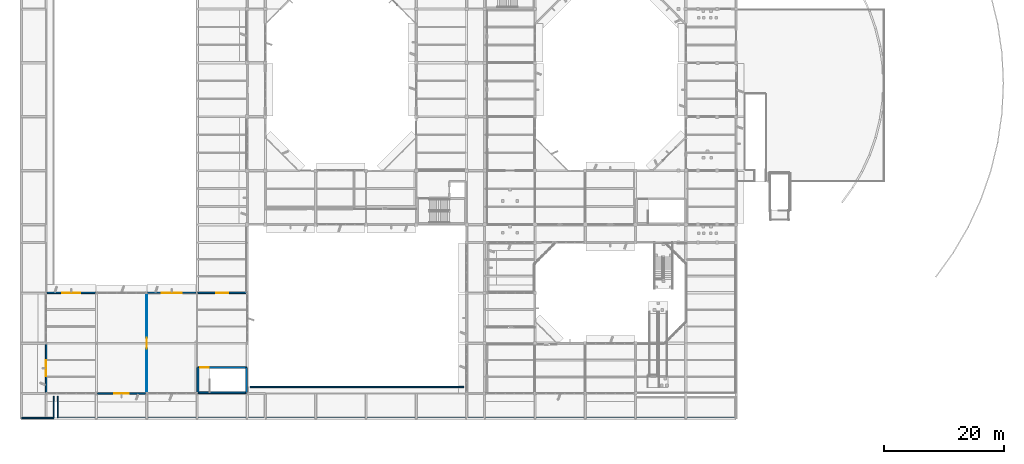
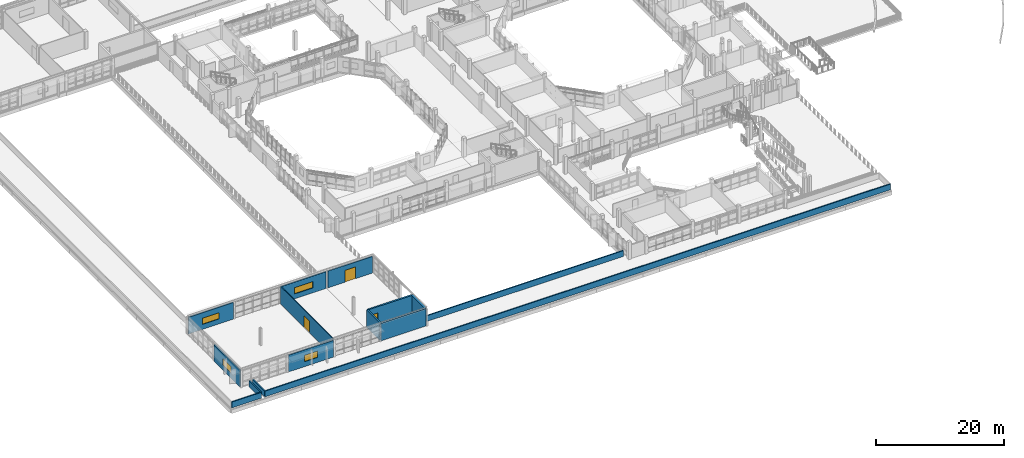
# One storey, part 57 of 92: 15 walls, 4 windows, 3 doors, 7 openings.
"""IFC4 building model written with IfcOpenShell, lengths in metres."""

from ifc_helpers import new_model, si_unit, direction, frame, frame_2d, origin, place, context, subcontext, project, spatial, rectangle, extrude, material, layer, layer_set, type_object, element, fill, save


model = new_model("IFC4")

# Units and contexts
model_context = context("Model", 3, precision=1e-05, world=origin(), true_north=direction((0.0, 1.0)))
body_context = subcontext(model_context, "Body", "Model", "MODEL_VIEW")
ifc_project = project(units=[si_unit("LENGTHUNIT", "METRE"), si_unit("AREAUNIT", "SQUARE_METRE"), si_unit("VOLUMEUNIT", "CUBIC_METRE"), si_unit("PLANEANGLEUNIT", "RADIAN"), si_unit("MASSUNIT", "GRAM", prefix="KILO")], contexts=[model_context])

# Site, building, storey
site_placement = place(None, origin())
site = spatial("IfcSite", under=ifc_project, at=site_placement, CompositionType="ELEMENT")
building_placement = place(site_placement, origin())
building = spatial("IfcBuilding", under=site, at=building_placement, Name="Vanh Quang Courtyard School", CompositionType="ELEMENT")
storey_placement = place(building_placement, frame((0.0, 0.0, 7.800048828125)))
storey = spatial("IfcBuildingStorey", under=building, at=storey_placement, Name="L02", CompositionType="ELEMENT", Elevation=7.800048828125)

# Walls
ifc_material_1 = material(Name="Concrete C35/45", Category="concrete")
ifc_layer_1 = layer(ifc_material_1, 0.300048828125)
ifc_layer_set_1 = layer_set([ifc_layer_1], Name="Concrete C35/45")
wall_type_1 = type_object("IfcWallType", Name="W-CORE-300", PredefinedType="SHEAR", material=ifc_layer_set_1)
wall_1_placement = place(storey_placement, frame((29.5400390625, 4.340087890625, 0.0), z_axis=(0.0, 0.0, 1.0), x_axis=(1.0, 0.0, 0.0)))
element("IfcWall", 1, at=wall_1_placement, inside=storey, type_object=wall_type_1, Name="Wall W-CORE1 (L02)", PredefinedType="SHEAR", context=body_context, shape_type="SweptSolid", body=[
    extrude(rectangle(XDim=8.119873046875, YDim=0.300048828125, at=frame_2d((4.06005859375, 0.0))), origin(), (0.0, 0.0, 1.0), 3.33984375),
])
wall_2_placement = place(storey_placement, frame((37.659912109375, 4.340087890625, 0.0), z_axis=(0.0, 0.0, 1.0), x_axis=(0.0, 1.0, 0.0)))
element("IfcWall", 2, at=wall_2_placement, inside=storey, type_object=wall_type_1, Name="Wall W-CORE1 (L02)", PredefinedType="SHEAR", context=body_context, shape_type="SweptSolid", body=[
    extrude(rectangle(XDim=4.199951171875, YDim=0.300048828125, at=frame_2d((2.10009765625, 0.0))), origin(), (0.0, 0.0, 1.0), 3.33984375),
])

# Wall, opening, door
wall_3_placement = place(storey_placement, frame((37.659912109375, 8.5400390625, 0.0), z_axis=(0.0, 0.0, 1.0), x_axis=(-1.0, 0.0, 0.0)))
wall_3 = element("IfcWall", 3, at=wall_3_placement, inside=storey, type_object=wall_type_1, Name="Wall W-CORE1 (L02)", PredefinedType="SHEAR", context=body_context, shape_type="SweptSolid", body=[
    extrude(rectangle(XDim=8.119873046875, YDim=0.300048828125, at=frame_2d((4.06005859375, 0.0))), origin(), (0.0, 0.0, 1.0), 3.33984375),
])
opening_1_placement = place(wall_3_placement, frame((6.27001953125, 0.0, 0.0)))
opening_1 = element("IfcOpeningElement", 4, at=opening_1_placement, cuts=wall_3, Name="Opening L02-DS6", PredefinedType="OPENING", context=body_context, shape_type="SweptSolid", body=[
    extrude(rectangle(XDim=1.419921875, YDim=2.14990234375, at=frame_2d((0.7099609375, 1.074951171875))), frame((0.0, 0.16015625, 0.0), z_axis=(0.0, -1.0, 0.0), x_axis=(1.0, 0.0, 0.0)), (0.0, 0.0, 1.0), 0.320068359375),
])
ifc_material_2 = material(Name="Painted galvanised steel fire door", Category="steel")
door_type_1 = type_object("IfcDoorType", Name="IDR-ST-1420x2150", OperationType="NOTDEFINED", PredefinedType="DOOR", material=ifc_material_2)
door_1_placement = place(opening_1_placement, frame((1.419921875, 0.0, 0.0), z_axis=(0.0, 0.0, 1.0), x_axis=(-1.0, 0.0, 0.0)))
door_1 = element("IfcDoor", 5, at=door_1_placement, inside=storey, type_object=door_type_1, Name="Door L02-DS6 (L02)", OperationType="SINGLE_SWING_LEFT", OverallHeight=2.14990234375, OverallWidth=1.419921875, PredefinedType="DOOR", context=body_context, shape_type="SweptSolid", body=[
    extrude(rectangle(XDim=1.419921875, YDim=2.14990234375, at=frame_2d((0.7099609375, 1.074951171875))), frame((0.0, 0.02490234375, 0.0), z_axis=(0.0, -1.0, 0.0), x_axis=(1.0, 0.0, 0.0)), (0.0, 0.0, 1.0), 0.050048828125),
])
fill(opening_1, door_1)

# Wall
wall_4_placement = place(storey_placement, frame((29.5400390625, 8.5400390625, 0.0), z_axis=(0.0, 0.0, 1.0), x_axis=(0.0, -1.0, 0.0)))
element("IfcWall", 6, at=wall_4_placement, inside=storey, type_object=wall_type_1, Name="Wall W-CORE1 (L02)", PredefinedType="SHEAR", context=body_context, shape_type="SweptSolid", body=[
    extrude(rectangle(XDim=4.199951171875, YDim=0.300048828125, at=frame_2d((2.10009765625, 0.0))), origin(), (0.0, 0.0, 1.0), 3.33984375),
])

# Wall, opening, window
ifc_material_3 = material(Name="Precast concrete C40/50", Category="concrete")
ifc_layer_2 = layer(ifc_material_3, 0.239990234375)
ifc_layer_set_2 = layer_set([ifc_layer_2], Name="Precast concrete C40/50")
wall_type_2 = type_object("IfcWallType", Name="W-EXT-240", PredefinedType="SOLIDWALL", material=ifc_layer_set_2)
wall_5_placement = place(storey_placement, frame((20.85205078125, 4.199951171875, 0.0), z_axis=(0.0, 0.0, 1.0), x_axis=(-1.0, 0.0, 0.0)))
wall_5 = element("IfcWall", 7, at=wall_5_placement, inside=storey, type_object=wall_type_2, Name="Wall WE-03 (L02)", PredefinedType="SOLIDWALL", context=body_context, shape_type="SweptSolid", body=[
    extrude(rectangle(XDim=8.10400390625, YDim=0.239990234375, at=frame_2d((4.052001953125, 0.0))), origin(), (0.0, 0.0, 1.0), 3.199951171875),
])
opening_2_placement = place(wall_5_placement, frame((2.85205078125, 0.0, 0.949951171875)))
opening_2 = element("IfcOpeningElement", 8, at=opening_2_placement, cuts=wall_5, Name="Opening WN-05", PredefinedType="OPENING", context=body_context, shape_type="SweptSolid", body=[
    extrude(rectangle(XDim=2.39990234375, YDim=1.199951171875, at=frame_2d((1.199951171875, 0.60009765625))), frame((0.0, 0.1298828125, 0.0), z_axis=(0.0, -1.0, 0.0), x_axis=(1.0, 0.0, 0.0)), (0.0, 0.0, 1.0), 0.260009765625),
])
ifc_material_4 = material(Name="Anodised aluminium and low-E double glazing", Category="aluminium")
window_type_1 = type_object("IfcWindowType", Name="WIN-TYP-05", PartitioningType="SINGLE_PANEL", PredefinedType="WINDOW", material=ifc_material_4)
window_1_placement = place(opening_2_placement, origin())
window_1 = element("IfcWindow", 9, at=window_1_placement, inside=storey, type_object=window_type_1, Name="Window WN-05 (L02)", OverallHeight=1.199951171875, OverallWidth=2.39990234375, PartitioningType="SINGLE_PANEL", PredefinedType="WINDOW", context=body_context, shape_type="SweptSolid", body=[
    extrude(rectangle(XDim=2.39990234375, YDim=1.199951171875, at=frame_2d((1.199951171875, 0.60009765625))), frame((0.0, 0.030029296875, 0.0), z_axis=(0.0, -1.0, 0.0), x_axis=(1.0, 0.0, 0.0)), (0.0, 0.0, 1.0), 0.06005859375),
])
fill(opening_2, window_1)

wall_6_placement = place(storey_placement, frame((4.199951171875, 4.363037109375, 0.0), z_axis=(0.0, 0.0, 1.0), x_axis=(0.0, 1.0, 0.0)))
wall_6 = element("IfcWall", 10, at=wall_6_placement, inside=storey, type_object=wall_type_2, Name="Wall WE-03 (L02)", PredefinedType="SOLIDWALL", context=body_context, shape_type="SweptSolid", body=[
    extrude(rectangle(XDim=8.073974609375, YDim=0.239990234375, at=frame_2d((4.037109375, 0.0))), origin(), (0.0, 0.0, 1.0), 3.199951171875),
])
opening_3_placement = place(wall_6_placement, frame((2.68701171875, 0.0, 0.949951171875)))
opening_3 = element("IfcOpeningElement", 11, at=opening_3_placement, cuts=wall_6, Name="Opening WN-06", PredefinedType="OPENING", context=body_context, shape_type="SweptSolid", body=[
    extrude(rectangle(XDim=2.699951171875, YDim=1.199951171875, at=frame_2d((1.35009765625, 0.60009765625))), frame((0.0, 0.1298828125, 0.0), z_axis=(0.0, -1.0, 0.0), x_axis=(1.0, 0.0, 0.0)), (0.0, 0.0, 1.0), 0.260009765625),
])
window_type_2 = type_object("IfcWindowType", Name="WIN-TYP-06", PartitioningType="SINGLE_PANEL", PredefinedType="WINDOW", material=ifc_material_4)
window_2_placement = place(opening_3_placement, origin())
window_2 = element("IfcWindow", 12, at=window_2_placement, inside=storey, type_object=window_type_2, Name="Window WN-06 (L02)", OverallHeight=1.199951171875, OverallWidth=2.699951171875, PartitioningType="SINGLE_PANEL", PredefinedType="WINDOW", context=body_context, shape_type="SweptSolid", body=[
    extrude(rectangle(XDim=2.699951171875, YDim=1.199951171875, at=frame_2d((1.35009765625, 0.60009765625))), frame((0.0, 0.030029296875, 0.0), z_axis=(0.0, -1.0, 0.0), x_axis=(1.0, 0.0, 0.0)), (0.0, 0.0, 1.0), 0.06005859375),
])
fill(opening_3, window_2)

wall_7_placement = place(storey_placement, frame((4.347900390625, 21.0, 0.0), z_axis=(0.0, 0.0, 1.0), x_axis=(1.0, 0.0, 0.0)))
wall_7 = element("IfcWall", 13, at=wall_7_placement, inside=storey, type_object=wall_type_2, Name="Wall WE-03 (L02)", PredefinedType="SOLIDWALL", context=body_context, shape_type="SweptSolid", body=[
    extrude(rectangle(XDim=8.10400390625, YDim=0.239990234375, at=frame_2d((4.052001953125, 0.0))), origin(), (0.0, 0.0, 1.0), 3.199951171875),
])
opening_4_placement = place(wall_7_placement, frame((2.552001953125, 0.0, 0.949951171875)))
opening_4 = element("IfcOpeningElement", 14, at=opening_4_placement, cuts=wall_7, Name="Opening WN-07", PredefinedType="OPENING", context=body_context, shape_type="SweptSolid", body=[
    extrude(rectangle(XDim=3.0, YDim=1.199951171875, at=frame_2d((1.5, 0.60009765625))), frame((0.0, 0.1298828125, 0.0), z_axis=(0.0, -1.0, 0.0), x_axis=(1.0, 0.0, 0.0)), (0.0, 0.0, 1.0), 0.260009765625),
])
window_type_3 = type_object("IfcWindowType", Name="WIN-TYP-07", PartitioningType="SINGLE_PANEL", PredefinedType="WINDOW", material=ifc_material_4)
window_3_placement = place(opening_4_placement, origin())
window_3 = element("IfcWindow", 15, at=window_3_placement, inside=storey, type_object=window_type_3, Name="Window WN-07 (L02)", OverallHeight=1.199951171875, OverallWidth=3.0, PartitioningType="SINGLE_PANEL", PredefinedType="WINDOW", context=body_context, shape_type="SweptSolid", body=[
    extrude(rectangle(XDim=3.0, YDim=1.199951171875, at=frame_2d((1.5, 0.60009765625))), frame((0.0, 0.030029296875, 0.0), z_axis=(0.0, -1.0, 0.0), x_axis=(1.0, 0.0, 0.0)), (0.0, 0.0, 1.0), 0.06005859375),
])
fill(opening_4, window_3)

wall_8_placement = place(storey_placement, frame((21.14794921875, 21.0, 0.0), z_axis=(0.0, 0.0, 1.0), x_axis=(1.0, 0.0, 0.0)))
wall_8 = element("IfcWall", 16, at=wall_8_placement, inside=storey, type_object=wall_type_2, Name="Wall WE-03 (L02)", PredefinedType="SOLIDWALL", context=body_context, shape_type="SweptSolid", body=[
    extrude(rectangle(XDim=8.10400390625, YDim=0.239990234375, at=frame_2d((4.052001953125, 0.0))), origin(), (0.0, 0.0, 1.0), 3.199951171875),
])
opening_5_placement = place(wall_8_placement, frame((2.402099609375, 0.0, 0.949951171875)))
opening_5 = element("IfcOpeningElement", 17, at=opening_5_placement, cuts=wall_8, Name="Opening WN-08", PredefinedType="OPENING", context=body_context, shape_type="SweptSolid", body=[
    extrude(rectangle(XDim=3.300048828125, YDim=1.199951171875, at=frame_2d((1.64990234375, 0.60009765625))), frame((0.0, 0.1298828125, 0.0), z_axis=(0.0, -1.0, 0.0), x_axis=(1.0, 0.0, 0.0)), (0.0, 0.0, 1.0), 0.260009765625),
])
window_type_4 = type_object("IfcWindowType", Name="WIN-TYP-08", PartitioningType="SINGLE_PANEL", PredefinedType="WINDOW", material=ifc_material_4)
window_4_placement = place(opening_5_placement, origin())
window_4 = element("IfcWindow", 18, at=window_4_placement, inside=storey, type_object=window_type_4, Name="Window WN-08 (L02)", OverallHeight=1.199951171875, OverallWidth=3.300048828125, PartitioningType="SINGLE_PANEL", PredefinedType="WINDOW", context=body_context, shape_type="SweptSolid", body=[
    extrude(rectangle(XDim=3.300048828125, YDim=1.199951171875, at=frame_2d((1.64990234375, 0.60009765625))), frame((0.0, 0.030029296875, 0.0), z_axis=(0.0, -1.0, 0.0), x_axis=(1.0, 0.0, 0.0)), (0.0, 0.0, 1.0), 0.06005859375),
])
fill(opening_5, window_4)

# Wall, opening, door
wall_9_placement = place(storey_placement, frame((29.548095703125, 21.0, 0.0), z_axis=(0.0, 0.0, 1.0), x_axis=(1.0, 0.0, 0.0)))
wall_9 = element("IfcWall", 19, at=wall_9_placement, inside=storey, type_object=wall_type_2, Name="Wall WE-03 (L02)", PredefinedType="SOLIDWALL", context=body_context, shape_type="SweptSolid", body=[
    extrude(rectangle(XDim=8.10400390625, YDim=0.239990234375, at=frame_2d((4.052001953125, 0.0))), origin(), (0.0, 0.0, 1.0), 3.199951171875),
])
opening_6_placement = place(wall_9_placement, frame((3.076904296875, 0.0, 0.0)))
opening_6 = element("IfcOpeningElement", 20, at=opening_6_placement, cuts=wall_9, Name="Opening L02-PD048", PredefinedType="OPENING", context=body_context, shape_type="SweptSolid", body=[
    extrude(rectangle(XDim=1.949951171875, YDim=2.25, at=frame_2d((0.97509765625, 1.125))), frame((0.0, 0.1298828125, 0.0), z_axis=(0.0, -1.0, 0.0), x_axis=(1.0, 0.0, 0.0)), (0.0, 0.0, 1.0), 0.260009765625),
])
ifc_material_5 = material(Name="Thermally broken aluminium and laminated safety glass", Category="aluminium")
door_type_2 = type_object("IfcDoorType", Name="EDR-TYP-09", OperationType="NOTDEFINED", PredefinedType="DOOR", material=ifc_material_5)
door_2_placement = place(opening_6_placement, origin())
door_2 = element("IfcDoor", 21, at=door_2_placement, inside=storey, type_object=door_type_2, Name="Door L02-PD048 (L02)", OperationType="SINGLE_SWING_LEFT", OverallHeight=2.25, OverallWidth=1.949951171875, PredefinedType="DOOR", context=body_context, shape_type="SweptSolid", body=[
    extrude(rectangle(XDim=1.949951171875, YDim=2.25, at=frame_2d((0.97509765625, 1.125))), frame((0.0, 0.02490234375, 0.0), z_axis=(0.0, -1.0, 0.0), x_axis=(1.0, 0.0, 0.0)), (0.0, 0.0, 1.0), 0.050048828125),
])
fill(opening_6, door_2)

# Walls
ifc_layer_3 = layer(ifc_material_1, 0.199951171875)
ifc_layer_set_3 = layer_set([ifc_layer_3], Name="Concrete C35/45")
wall_type_3 = type_object("IfcWallType", Name="W-PAR-200", PredefinedType="PARAPET", material=ifc_layer_set_3)
wall_10_placement = place(storey_placement, frame((6.169921875, 0.1201171875, 0.0), z_axis=(0.0, 0.0, 1.0), x_axis=(0.0, 1.0, 0.0)))
element("IfcWall", 22, at=wall_10_placement, inside=storey, type_object=wall_type_3, Name="Wall WP-01 (L02)", PredefinedType="PARAPET", context=body_context, shape_type="SweptSolid", body=[
    extrude(rectangle(XDim=3.6298828125, YDim=0.199951171875, at=frame_2d((1.81494140625, 0.0))), origin(), (0.0, 0.0, 1.0), 1.099853515625),
])
wall_11_placement = place(storey_placement, frame((38.25, 5.280029296875, 0.0), z_axis=(0.0, 0.0, 1.0), x_axis=(1.0, 0.0, 0.0)))
element("IfcWall", 23, at=wall_11_placement, inside=storey, type_object=wall_type_3, Name="Wall WP-01 (L02)", PredefinedType="PARAPET", context=body_context, shape_type="SweptSolid", body=[
    extrude(rectangle(XDim=35.699951171875, YDim=0.199951171875, at=frame_2d((17.85009765625, 0.0))), origin(), (0.0, 0.0, 1.0), 1.099853515625),
])
wall_12_placement = place(storey_placement, frame((119.280029296875, 0.1201171875, 0.0), z_axis=(0.0, 0.0, 1.0), x_axis=(-1.0, 0.0, 0.0)))
element("IfcWall", 24, at=wall_12_placement, inside=storey, type_object=wall_type_3, Name="Wall WP-01 (L02)", PredefinedType="PARAPET", context=body_context, shape_type="SweptSolid", body=[
    extrude(rectangle(XDim=113.110107421875, YDim=0.199951171875, at=frame_2d((56.55517578125, 0.0))), origin(), (0.0, 0.0, 1.0), 1.099853515625),
])
wall_13_placement = place(storey_placement, frame((5.47998046875, 3.75, 0.0), z_axis=(0.0, 0.0, 1.0), x_axis=(0.0, -1.0, 0.0)))
element("IfcWall", 25, at=wall_13_placement, inside=storey, type_object=wall_type_3, Name="Wall WP-01 (L02)", PredefinedType="PARAPET", context=body_context, shape_type="SweptSolid", body=[
    extrude(rectangle(XDim=3.6298828125, YDim=0.199951171875, at=frame_2d((1.81494140625, 0.0))), origin(), (0.0, 0.0, 1.0), 1.099853515625),
])
wall_14_placement = place(storey_placement, frame((5.47998046875, 0.1201171875, 0.0), z_axis=(0.0, 0.0, 1.0), x_axis=(-1.0, 0.0, 0.0)))
element("IfcWall", 26, at=wall_14_placement, inside=storey, type_object=wall_type_3, Name="Wall WP-01 (L02)", PredefinedType="PARAPET", context=body_context, shape_type="SweptSolid", body=[
    extrude(rectangle(XDim=5.35986328125, YDim=0.199951171875, at=frame_2d((2.679931640625, 0.0))), origin(), (0.0, 0.0, 1.0), 1.099853515625),
])

# Wall, opening, door
ifc_material_6 = material(Name="Autoclaved aerated masonry blockwork", Category="masonry")
ifc_layer_4 = layer(ifc_material_6, 0.14990234375)
ifc_layer_set_4 = layer_set([ifc_layer_4], Name="Autoclaved aerated masonry blockwork")
wall_type_4 = type_object("IfcWallType", Name="W-PART-150", PredefinedType="PARTITIONING", material=ifc_layer_set_4)
wall_15_placement = place(storey_placement, frame((21.0, 20.71630859375, 0.0), z_axis=(0.0, 0.0, 1.0), x_axis=(0.0, -1.0, 0.0)))
wall_15 = element("IfcWall", 27, at=wall_15_placement, inside=storey, type_object=wall_type_4, Name="Wall W-PRT1 (L02)", PredefinedType="PARTITIONING", context=body_context, shape_type="SweptSolid", body=[
    extrude(rectangle(XDim=16.232666015625, YDim=0.14990234375, at=frame_2d((8.1162109375, 0.0))), origin(), (0.0, 0.0, 1.0), 3.33984375),
])
opening_7_placement = place(wall_15_placement, frame((7.21630859375, 0.0, 0.0)))
opening_7 = element("IfcOpeningElement", 28, at=opening_7_placement, cuts=wall_15, Name="Opening L02-D097", PredefinedType="OPENING", context=body_context, shape_type="SweptSolid", body=[
    extrude(rectangle(XDim=1.800048828125, YDim=2.25, at=frame_2d((0.89990234375, 1.125))), frame((0.0, 0.0849609375, 0.0), z_axis=(0.0, -1.0, 0.0), x_axis=(1.0, 0.0, 0.0)), (0.0, 0.0, 1.0), 0.169921875),
])
door_type_3 = type_object("IfcDoorType", Name="IDR-FD-1800x2250", OperationType="NOTDEFINED", PredefinedType="DOOR", material=ifc_material_2)
door_3_placement = place(opening_7_placement, origin())
door_3 = element("IfcDoor", 29, at=door_3_placement, inside=storey, type_object=door_type_3, Name="Door L02-D097 (L02)", OperationType="DOUBLE_DOOR_SINGLE_SWING", OverallHeight=2.25, OverallWidth=1.800048828125, PredefinedType="DOOR", context=body_context, shape_type="SweptSolid", body=[
    extrude(rectangle(XDim=1.800048828125, YDim=2.25, at=frame_2d((0.89990234375, 1.125))), frame((0.0, 0.02490234375, 0.0), z_axis=(0.0, -1.0, 0.0), x_axis=(1.0, 0.0, 0.0)), (0.0, 0.0, 1.0), 0.050048828125),
])
fill(opening_7, door_3)

save(model, "model.ifc")
